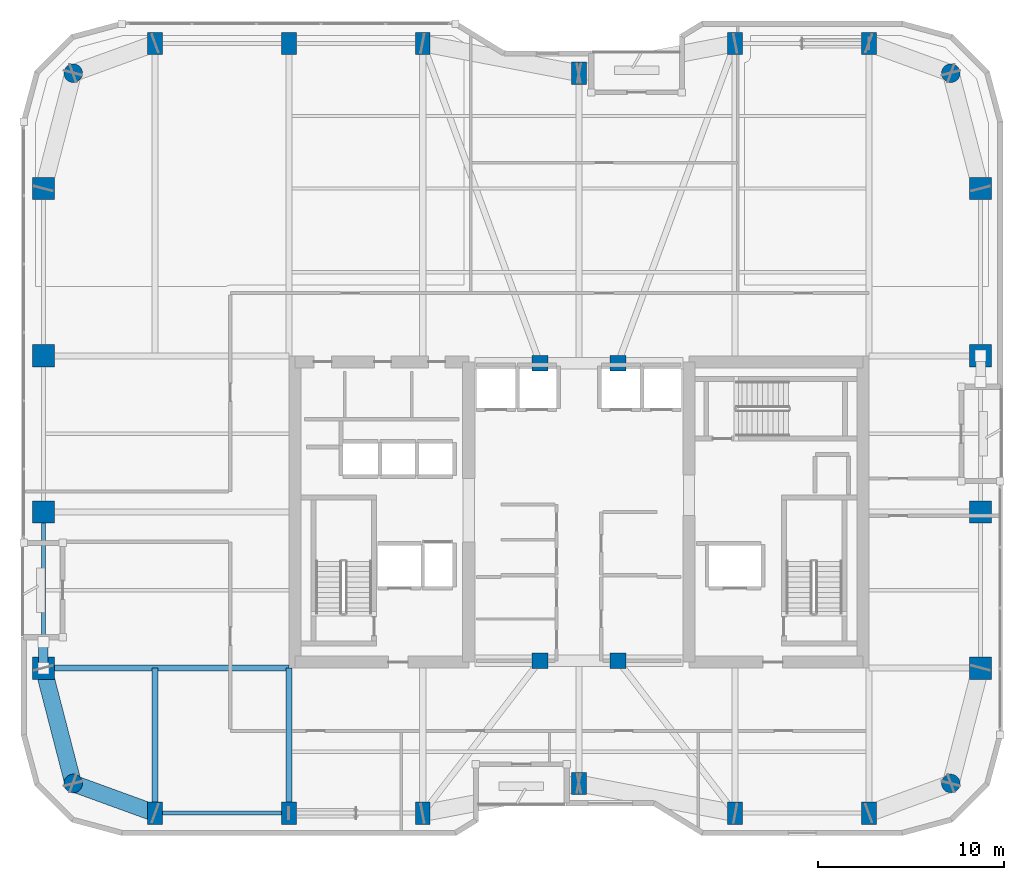
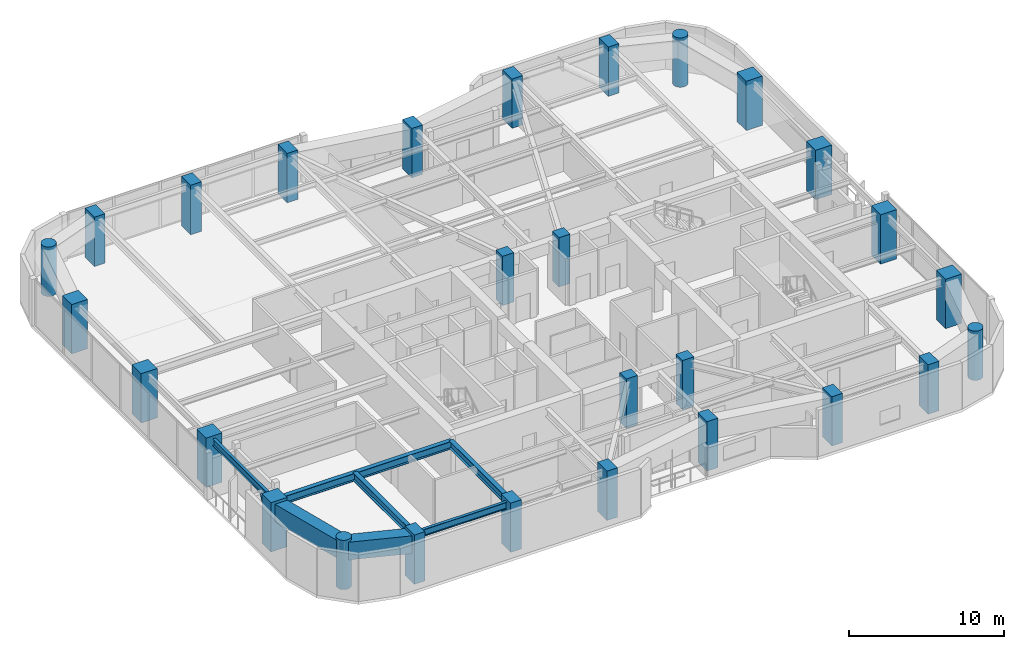
# One storey, part 1 of 30: 28 columns, 7 beams, 1 member.
"""IFC4 building model written with IfcOpenShell, lengths in metres."""

from ifc_helpers import new_model, si_unit, direction, frame, origin, origin_2d, place, context, subcontext, project, spatial, rectangle, hollow_rectangle, circle, hollow_circle, i_section, extrude, material, material_profile, profile_set, type_object, element, save


model = new_model("IFC4")

# Units and contexts
model_context = context("Model", 3, precision=1e-05, world=origin(), true_north=direction((0.0, 1.0)))
body_context = subcontext(model_context, "Body", "Model", "MODEL_VIEW")
ifc_project = project(units=[si_unit("LENGTHUNIT", "METRE"), si_unit("AREAUNIT", "SQUARE_METRE"), si_unit("VOLUMEUNIT", "CUBIC_METRE"), si_unit("PLANEANGLEUNIT", "RADIAN"), si_unit("MASSUNIT", "GRAM", prefix="KILO")], contexts=[model_context])

# Site, building, storey
site_placement = place(None, origin())
site = spatial("IfcSite", under=ifc_project, at=site_placement, CompositionType="ELEMENT")
building_placement = place(site_placement, origin())
building = spatial("IfcBuilding", under=site, at=building_placement, Name="Kiyonajd Concourse Tower", CompositionType="ELEMENT")
storey_placement = place(building_placement, frame((0.0, 0.0, 198.0)))
storey = spatial("IfcBuildingStorey", under=building, at=storey_placement, Name="L50", CompositionType="ELEMENT", Elevation=198.0)

# Columns
ifc_material_1 = material(Name="Concrete C70/85", Category="concrete")
ifc_material_profile_1 = material_profile(ifc_material_1, rectangle(XDim=0.800048828125, YDim=1.199951171875, at=origin_2d()), Name="RC-1200x800")
ifc_profile_set_1 = profile_set([ifc_material_profile_1], Name="Concrete C70/85")
column_type_1 = type_object("IfcColumnType", Name="CL-BLADE-1200", PredefinedType="COLUMN", material=ifc_profile_set_1)
for number, where, z_axis, x_axis, name in (
    (1, (25.199951171875, 19.800048828125, 0.0), (0.0, 0.0, 1.0), (1.0, 0.0, 0.0), "L50 Perimeter Bundled Tube Column"),
    (2, (25.199951171875, 61.199951171875, 0.0), (0.0, 0.0, 1.0), (1.0, 0.0, 0.0), "L50 Perimeter Bundled Tube Column"),
    (3, (32.39990234375, 19.800048828125, 0.0), (0.0, 0.0, 1.0), (1.0, 0.0, 0.0), "L50 Perimeter Bundled Tube Column"),
    (4, (32.39990234375, 61.199951171875, 0.0), (0.0, 0.0, 1.0), (1.0, 0.0, 0.0), "L50 Perimeter Bundled Tube Column"),
    (5, (39.60009765625, 19.800048828125, 0.0), (0.0, 0.0, 1.0), (1.0, 0.0, 0.0), "L50 Perimeter Bundled Tube Column"),
    (6, (39.60009765625, 61.199951171875, 0.0), (0.0, 0.0, 1.0), (1.0, 0.0, 0.0), "L50 Perimeter Bundled Tube Column"),
    (7, (48.0, 21.39990234375, 0.0), (0.0, 0.0, 1.0), (1.0, 0.0, 0.0), "L50 Perimeter Bundled Tube Column"),
    (8, (48.0, 59.60009765625, 0.0), (0.0, 0.0, 1.0), (1.0, 0.0, 0.0), "L50 Perimeter Bundled Tube Column"),
    (9, (56.39990234375, 19.800048828125, 0.0), (0.0, 0.0, 1.0), (1.0, 0.0, 0.0), "L50 Perimeter Bundled Tube Column"),
    (10, (56.39990234375, 61.199951171875, 0.0), (0.0, 0.0, 1.0), (1.0, 0.0, 0.0), "L50 Perimeter Bundled Tube Column"),
    (11, (63.60009765625, 19.800048828125, 0.0), (0.0, 0.0, 1.0), (1.0, 0.0, 0.0), "L50 Perimeter Bundled Tube Column"),
    (12, (63.60009765625, 61.199951171875, 0.0), (0.0, 0.0, 1.0), (1.0, 0.0, 0.0), "L50 Perimeter Bundled Tube Column"),
):
    element("IfcColumn", number, at=place(storey_placement, frame(where, z_axis=z_axis, x_axis=x_axis)), inside=storey, type_object=column_type_1, Name=name, PredefinedType="COLUMN", context=body_context, shape_type="SweptSolid", body=[
        extrude(rectangle(XDim=0.800048828125, YDim=1.199951171875, at=origin_2d()), origin(), (0.0, 0.0, 1.0), 3.89990234375),
    ])
ifc_material_2 = material(Name="Concrete C60/75", Category="concrete")
ifc_material_profile_2 = material_profile(ifc_material_2, circle(Radius=0.5, at=origin_2d()), Name="RCC-D1000")
ifc_profile_set_2 = profile_set([ifc_material_profile_2], Name="Concrete C60/75")
column_type_2 = type_object("IfcColumnType", Name="CL-RND-1000", PredefinedType="COLUMN", material=ifc_profile_set_2)
for number, where, z_axis, x_axis, name in (
    (13, (20.800048828125, 21.39990234375, 0.0), (0.0, 0.0, 1.0), (1.0, 0.0, 0.0), "L50 Bundled Tube Corner Column South West"),
    (14, (68.0, 21.39990234375, 0.0), (0.0, 0.0, 1.0), (1.0, 0.0, 0.0), "L50 Bundled Tube Corner Column South East"),
    (15, (68.0, 59.60009765625, 0.0), (0.0, 0.0, 1.0), (1.0, 0.0, 0.0), "L50 Bundled Tube Corner Column North East"),
    (16, (20.800048828125, 59.60009765625, 0.0), (0.0, 0.0, 1.0), (1.0, 0.0, 0.0), "L50 Bundled Tube Corner Column North West"),
):
    element("IfcColumn", number, at=place(storey_placement, frame(where, z_axis=z_axis, x_axis=x_axis)), inside=storey, type_object=column_type_2, Name=name, PredefinedType="COLUMN", context=body_context, shape_type="SweptSolid", body=[
        extrude(circle(Radius=0.5, at=origin_2d()), origin(), (0.0, 0.0, 1.0), 3.89990234375),
    ])
ifc_material_profile_3 = material_profile(ifc_material_1, rectangle(XDim=1.199951171875, YDim=1.199951171875, at=origin_2d()), Name="RC-1200x1200")
ifc_profile_set_3 = profile_set([ifc_material_profile_3], Name="Concrete C70/85")
column_type_3 = type_object("IfcColumnType", Name="CL-TUBE-1200", PredefinedType="COLUMN", material=ifc_profile_set_3)
for number, where, z_axis, x_axis, name in (
    (17, (19.199951171875, 27.60009765625, 0.0), (0.0, 0.0, 1.0), (1.0, 0.0, 0.0), "L50 Perimeter Bundled Tube Column"),
    (18, (69.60009765625, 27.60009765625, 0.0), (0.0, 0.0, 1.0), (1.0, 0.0, 0.0), "L50 Perimeter Bundled Tube Column"),
    (19, (19.199951171875, 36.0, 0.0), (0.0, 0.0, 1.0), (1.0, 0.0, 0.0), "L50 Perimeter Bundled Tube Column"),
    (20, (69.60009765625, 36.0, 0.0), (0.0, 0.0, 1.0), (1.0, 0.0, 0.0), "L50 Perimeter Bundled Tube Column"),
    (21, (19.199951171875, 44.39990234375, 0.0), (0.0, 0.0, 1.0), (1.0, 0.0, 0.0), "L50 Perimeter Bundled Tube Column"),
    (22, (69.60009765625, 44.39990234375, 0.0), (0.0, 0.0, 1.0), (1.0, 0.0, 0.0), "L50 Perimeter Bundled Tube Column"),
    (23, (19.199951171875, 53.39990234375, 0.0), (0.0, 0.0, 1.0), (1.0, 0.0, 0.0), "L50 Perimeter Bundled Tube Column"),
    (24, (69.60009765625, 53.39990234375, 0.0), (0.0, 0.0, 1.0), (1.0, 0.0, 0.0), "L50 Perimeter Bundled Tube Column"),
):
    element("IfcColumn", number, at=place(storey_placement, frame(where, z_axis=z_axis, x_axis=x_axis)), inside=storey, type_object=column_type_3, Name=name, PredefinedType="COLUMN", context=body_context, shape_type="SweptSolid", body=[
        extrude(rectangle(XDim=1.199951171875, YDim=1.199951171875, at=origin_2d()), origin(), (0.0, 0.0, 1.0), 3.89990234375),
    ])
ifc_material_profile_4 = material_profile(ifc_material_2, rectangle(XDim=0.85009765625, YDim=0.85009765625, at=origin_2d()), Name="RC-850x850")
ifc_profile_set_4 = profile_set([ifc_material_profile_4], Name="Concrete C60/75")
column_type_4 = type_object("IfcColumnType", Name="CL-TUBE-850", PredefinedType="COLUMN", material=ifc_profile_set_4)
for number, where, z_axis, x_axis, name in (
    (25, (45.89990234375, 28.0, 0.0), (0.0, 0.0, 1.0), (1.0, 0.0, 0.0), "L50 Core Tie Column South West"),
    (26, (50.10009765625, 28.0, 0.0), (0.0, 0.0, 1.0), (1.0, 0.0, 0.0), "L50 Core Tie Column South East"),
    (27, (45.89990234375, 44.0, 0.0), (0.0, 0.0, 1.0), (1.0, 0.0, 0.0), "L50 Core Tie Column North West"),
    (28, (50.10009765625, 44.0, 0.0), (0.0, 0.0, 1.0), (1.0, 0.0, 0.0), "L50 Core Tie Column North East"),
):
    element("IfcColumn", number, at=place(storey_placement, frame(where, z_axis=z_axis, x_axis=x_axis)), inside=storey, type_object=column_type_4, Name=name, PredefinedType="COLUMN", context=body_context, shape_type="SweptSolid", body=[
        extrude(rectangle(XDim=0.85009765625, YDim=0.85009765625, at=origin_2d()), origin(), (0.0, 0.0, 1.0), 3.89990234375),
    ])

# Beams
ifc_material_3 = material(Name="Steel ASTM A992 Grade 50", Category="steel")
ifc_material_profile_5 = material_profile(ifc_material_3, i_section(OverallWidth=0.214111328125, OverallDepth=0.549072265625, WebThickness=0.0146484375, FlangeThickness=0.023681640625, at=origin_2d()), Name="W530X138")
ifc_profile_set_5 = profile_set([ifc_material_profile_5], Name="Steel ASTM A992 Grade 50")
beam_type_1 = type_object("IfcBeamType", Name="BM-SPAN-530A", PredefinedType="SPANDREL", material=ifc_profile_set_5)
beam_1_placement = place(storey_placement, frame((25.199951171875, 19.800048828125, 3.405517578125), z_axis=(1.0, 0.0, 0.0), x_axis=(0.0, 1.0, 0.0)))
element("IfcBeam", 29, at=beam_1_placement, inside=storey, type_object=beam_type_1, Name="L50 Perimeter Bundled Tube Spandrel", PredefinedType="SPANDREL", context=body_context, shape_type="SweptSolid", body=[
    extrude(i_section(OverallWidth=0.214111328125, OverallDepth=0.549072265625, WebThickness=0.0146484375, FlangeThickness=0.023681640625, at=origin_2d()), origin(), (0.0, 0.0, 1.0), 7.199951171875),
])
beam_2_placement = place(storey_placement, frame((19.199951171875, 36.0, 3.405517578125), z_axis=(0.0, -1.0, 0.0), x_axis=(1.0, 0.0, 0.0)))
element("IfcBeam", 30, at=beam_2_placement, inside=storey, type_object=beam_type_1, Name="L50 Perimeter Bundled Tube Spandrel", PredefinedType="SPANDREL", context=body_context, shape_type="SweptSolid", body=[
    extrude(i_section(OverallWidth=0.214111328125, OverallDepth=0.549072265625, WebThickness=0.0146484375, FlangeThickness=0.023681640625, at=origin_2d()), origin(), (0.0, 0.0, 1.0), 8.39990234375),
])
ifc_material_profile_6 = material_profile(ifc_material_3, i_section(OverallWidth=0.326904296875, OverallDepth=0.6220703125, WebThickness=0.015380859375, FlangeThickness=0.0244140625, at=origin_2d()), Name="W610X195")
ifc_profile_set_6 = profile_set([ifc_material_profile_6], Name="Steel ASTM A992 Grade 50")
beam_type_2 = type_object("IfcBeamType", Name="BM-TWR-610A", PredefinedType="BEAM", material=ifc_profile_set_6)
for number, where, z_axis, x_axis, name in (
    (31, (25.199951171875, 19.800048828125, 3.368896484375), (0.0, 1.0, 0.0), (-1.0, 0.0, 0.0), "L50 South Lease Girder"),
    (32, (32.39990234375, 19.800048828125, 3.368896484375), (0.0, 1.0, 0.0), (-1.0, 0.0, 0.0), "L50 South Lease Girder"),
):
    element("IfcBeam", number, at=place(storey_placement, frame(where, z_axis=z_axis, x_axis=x_axis)), inside=storey, type_object=beam_type_2, Name=name, PredefinedType="BEAM", context=body_context, shape_type="SweptSolid", body=[
        extrude(i_section(OverallWidth=0.326904296875, OverallDepth=0.6220703125, WebThickness=0.015380859375, FlangeThickness=0.0244140625, at=origin_2d()), origin(), (0.0, 0.0, 1.0), 7.800048828125),
    ])
beam_3_placement = place(storey_placement, frame((19.199951171875, 27.60009765625, 3.368896484375), z_axis=(1.0, 0.0, 0.0), x_axis=(0.0, 1.0, 0.0)))
element("IfcBeam", 33, at=beam_3_placement, inside=storey, type_object=beam_type_2, Name="L50 West Lease Girder", PredefinedType="BEAM", context=body_context, shape_type="SweptSolid", body=[
    extrude(i_section(OverallWidth=0.326904296875, OverallDepth=0.6220703125, WebThickness=0.015380859375, FlangeThickness=0.0244140625, at=origin_2d()), origin(), (0.0, 0.0, 1.0), 13.199951171875),
])
ifc_material_4 = material(Name="Steel ASTM A572 Grade 50", Category="steel")
ifc_material_profile_7 = material_profile(ifc_material_4, hollow_rectangle(XDim=0.89990234375, YDim=1.39990234375, WallThickness=0.070068359375, at=origin_2d()), Name="BOX-1400x900x70")
ifc_profile_set_7 = profile_set([ifc_material_profile_7], Name="Steel ASTM A572 Grade 50")
beam_type_3 = type_object("IfcBeamType", Name="BM-XFER-1400", PredefinedType="BEAM", material=ifc_profile_set_7)
beam_4_placement = place(storey_placement, frame((19.199951171875, 27.60009765625, 2.97998046875), z_axis=(0.249884937687, -0.968275538221, 0.0), x_axis=(0.968275538221, 0.249884937687, 0.0)))
element("IfcBeam", 34, at=beam_4_placement, inside=storey, type_object=beam_type_3, Name="L50 Perimeter Bundled Tube Spandrel", PredefinedType="BEAM", context=body_context, shape_type="SweptSolid", body=[
    extrude(hollow_rectangle(XDim=0.89990234375, YDim=1.39990234375, WallThickness=0.070068359375, at=origin_2d()), origin(), (0.0, 0.0, 1.0), 6.4033203125),
])
beam_5_placement = place(storey_placement, frame((20.800048828125, 21.39990234375, 2.97998046875), z_axis=(0.939801036019, -0.341722127901, 0.0), x_axis=(0.341722127901, 0.939801036019, 0.0)))
element("IfcBeam", 35, at=beam_5_placement, inside=storey, type_object=beam_type_3, Name="L50 Perimeter Bundled Tube Spandrel", PredefinedType="BEAM", context=body_context, shape_type="SweptSolid", body=[
    extrude(hollow_rectangle(XDim=0.89990234375, YDim=1.39990234375, WallThickness=0.070068359375, at=origin_2d()), origin(), (0.0, 0.0, 1.0), 4.681640625),
])

# Member
ifc_material_5 = material(Name="Steel ASTM A500 Grade C", Category="steel")
ifc_material_profile_8 = material_profile(ifc_material_5, hollow_circle(Radius=0.25390625, WallThickness=0.02197265625, at=origin_2d()), Name="CHS-508x22")
ifc_profile_set_8 = profile_set([ifc_material_profile_8], Name="Steel ASTM A500 Grade C")
member_type = type_object("IfcMemberType", Name="MB-PB-MID", PredefinedType="BRACE", material=ifc_profile_set_8)
member_placement = place(storey_placement, frame((19.199951171875, 27.60009765625, 0.300048828125), z_axis=(0.0, 0.419410666774, 0.907796614114), x_axis=(-1.0, 0.0, 0.0)))
element("IfcMember", 36, at=member_placement, inside=storey, type_object=member_type, Name="L50 Upper Zone Hollow Tube Brace PBW", PredefinedType="BRACE", context=body_context, shape_type="SweptSolid", body=[
    extrude(hollow_circle(Radius=0.25390625, WallThickness=0.02197265625, at=origin_2d()), origin(), (0.0, 0.0, 1.0), 3.337890625),
])

save(model, "model.ifc")
